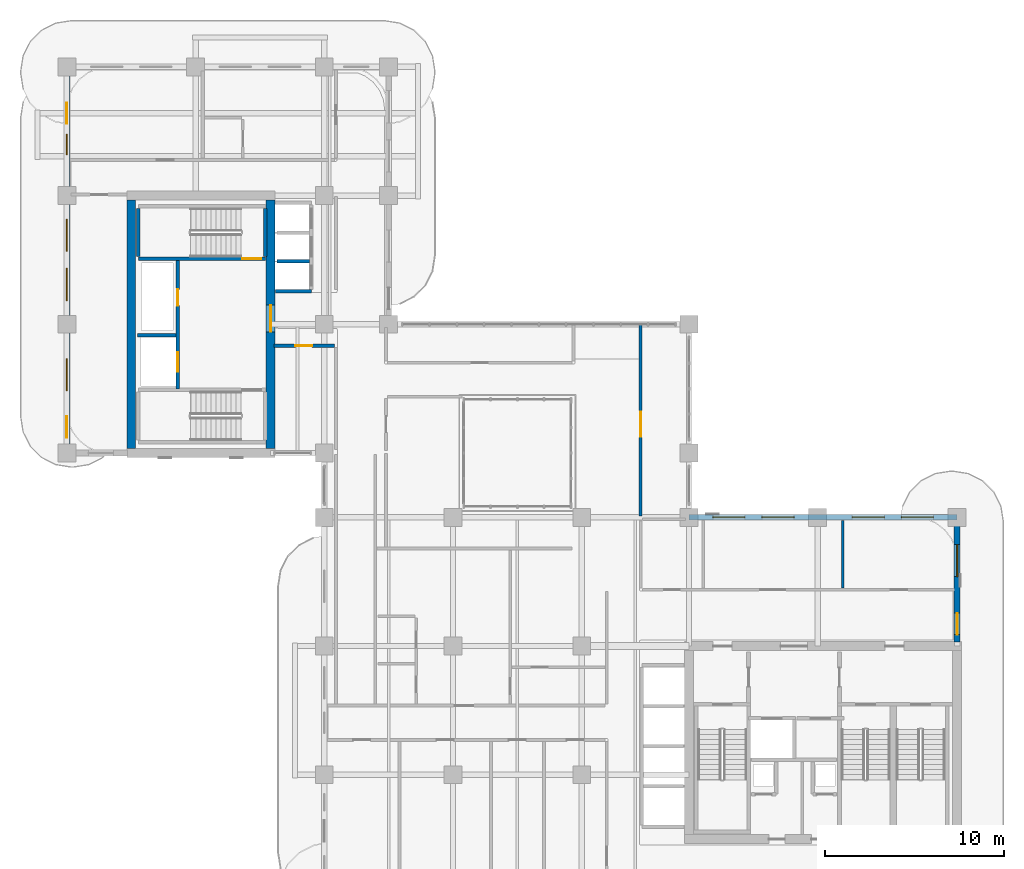
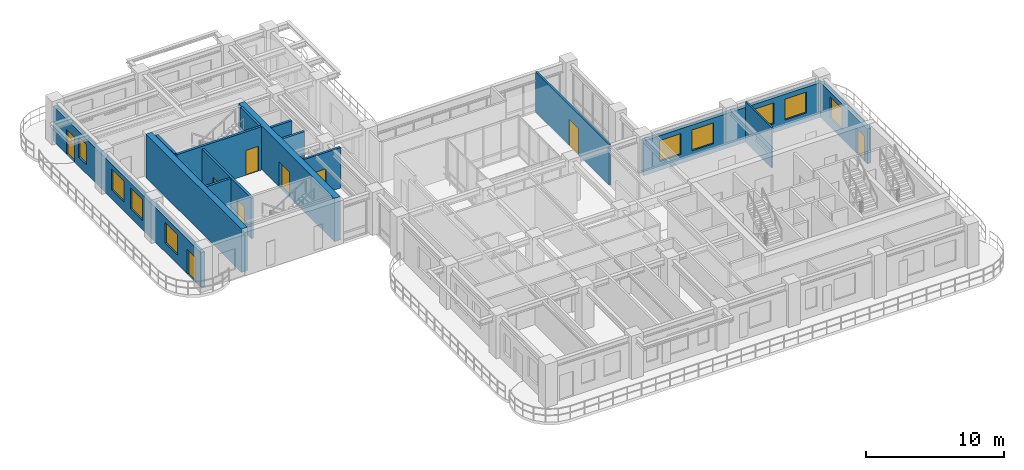
# One storey, part 14 of 20: 15 walls, 9 doors, 9 windows, 18 openings.
"""IFC4 building model written with IfcOpenShell, lengths in metres."""

from ifc_helpers import new_model, si_unit, derived_unit, direction, frame, frame_2d, origin, place, context, subcontext, project, spatial, rectangle, extrude, source, transform, mapped, material, layer, layer_set, type_object, type_shapes, element, fill, save


model = new_model("IFC4")

# Units and contexts
model_context = context("Model", 3, precision=1e-05, world=origin(), true_north=direction((0.0, 1.0)))
body_context = subcontext(model_context, "Body", "Model", "MODEL_VIEW")
ifc_project = project(units=[si_unit("LENGTHUNIT", "METRE"), si_unit("AREAUNIT", "SQUARE_METRE"), si_unit("VOLUMEUNIT", "CUBIC_METRE"), si_unit("PLANEANGLEUNIT", "RADIAN"), si_unit("MASSUNIT", "GRAM", prefix="KILO"), si_unit("THERMODYNAMICTEMPERATUREUNIT", "KELVIN"), si_unit("POWERUNIT", "WATT"), derived_unit("THERMALTRANSMITTANCEUNIT", [(si_unit("POWERUNIT", "WATT"), 1), (si_unit("AREAUNIT", "SQUARE_METRE"), -1), (si_unit("THERMODYNAMICTEMPERATUREUNIT", "KELVIN"), -1)])], contexts=[model_context])

# Site, building, storey
site_placement = place(None, origin())
site = spatial("IfcSite", under=ifc_project, at=site_placement, CompositionType="ELEMENT")
building_placement = place(site_placement, origin())
building = spatial("IfcBuilding", under=site, at=building_placement, Name="Zahravan Archway Hotel and Residences", CompositionType="ELEMENT")
storey_placement = place(building_placement, frame((0.0, 0.0, 161.85009765625)))
storey = spatial("IfcBuildingStorey", under=building, at=storey_placement, Name="L40", CompositionType="ELEMENT", Elevation=161.85009765625)

# Wall
ifc_material_1 = material(Name="Concrete C60/75", Category="concrete")
ifc_layer_1 = layer(ifc_material_1, 0.5, Name="Concrete C60/75", Category="concrete")
ifc_layer_set_1 = layer_set([ifc_layer_1], Name="Concrete C60/75")
wall_type_1 = type_object("IfcWallType", Name="CW-CORE-500", PredefinedType="SHEAR", material=ifc_layer_set_1)
wall_1_placement = place(storey_placement, frame((3.60009765625, 25.449951171875, 0.0), z_axis=(0.0, 0.0, 1.0), x_axis=(0.0, 1.0, 0.0)))
element("IfcWall", 1, at=wall_1_placement, inside=storey, type_object=wall_type_1, Name="L40 Core B Shear W Wall 500 mm", PredefinedType="SHEAR", context=body_context, shape_type="SweptSolid", body=[
    extrude(rectangle(XDim=13.900146484375, YDim=0.5, at=frame_2d((6.9501953125, 0.0))), origin(), (0.0, 0.0, 1.0), 3.849853515625),
])

# Wall, opening, door
wall_2_placement = place(storey_placement, frame((11.39990234375, 25.449951171875, 0.0), z_axis=(0.0, 0.0, 1.0), x_axis=(0.0, 1.0, 0.0)))
wall_2 = element("IfcWall", 2, at=wall_2_placement, inside=storey, type_object=wall_type_1, Name="L40 Core B Shear E Wall 500 mm", PredefinedType="SHEAR", context=body_context, shape_type="SweptSolid", body=[
    extrude(rectangle(XDim=13.900146484375, YDim=0.5, at=frame_2d((6.9501953125, 0.0))), origin(), (0.0, 0.0, 1.0), 3.849853515625),
])
opening_1_placement = place(wall_2_placement, frame((6.52001953125, 0.0, 0.0)))
opening_1 = element("IfcOpeningElement", 3, at=opening_1_placement, cuts=wall_2, Name="Opening FD-L1", PredefinedType="OPENING", context=body_context, shape_type="SweptSolid", body=[
    extrude(rectangle(XDim=1.5, YDim=2.199951171875, at=frame_2d((0.75, 1.10009765625))), frame((0.0, 0.260009765625, 0.0), z_axis=(0.0, -1.0, 0.0), x_axis=(1.0, 0.0, 0.0)), (0.0, 0.0, 1.0), 0.52001953125),
])
ifc_material_2 = material(Name="Fire-Rated Painted Steel", Category="steel")
door_type_1 = type_object("IfcDoorType", Name="FD-LOBBY-1500", OperationType="DOUBLE_DOOR_SINGLE_SWING", PredefinedType="DOOR", material=ifc_material_2)
shared_shape_1 = source(origin(), body_context, "Body", "SweptSolid", [
    extrude(rectangle(XDim=1.5, YDim=2.199951171875, at=frame_2d((0.75, 1.10009765625))), frame((0.0, 0.02490234375, 0.0), z_axis=(0.0, -1.0, 0.0), x_axis=(1.0, 0.0, 0.0)), (0.0, 0.0, 1.0), 0.050048828125),
])
type_shapes(door_type_1, [shared_shape_1])
door_1_placement = place(opening_1_placement, origin())
door_1 = element("IfcDoor", 4, at=door_1_placement, inside=storey, type_object=door_type_1, Name="L40 Core B FSAE Lobby Door", OperationType="DOUBLE_DOOR_SINGLE_SWING", OverallHeight=2.199951171875, OverallWidth=1.5, PredefinedType="DOOR", context=body_context, shape_type="MappedRepresentation", body=[
    mapped(shared_shape_1, transform((0.0, 0.0, 0.0), scale=1.0)),
])
fill(opening_1, door_1)

# Wall, openings, door, window
ifc_material_3 = material(Name="Agra Buff Sandstone & Insulated Backup", Category="masonry")
ifc_layer_2 = layer(ifc_material_3, 0.320068359375, Name="Agra Buff Sandstone & Insulated Backup", Category="masonry")
ifc_layer_set_2 = layer_set([ifc_layer_2], Name="Agra Buff Sandstone & Insulated Backup")
wall_type_2 = type_object("IfcWallType", Name="EW-SAND-320", PredefinedType="SOLIDWALL", material=ifc_layer_set_2)
wall_3_placement = place(storey_placement, frame((49.800048828125, 14.6201171875, 0.0), z_axis=(0.0, 0.0, 1.0), x_axis=(0.0, 1.0, 0.0)))
wall_3 = element("IfcWall", 5, at=wall_3_placement, inside=storey, type_object=wall_type_2, Name="L40 Exterior Sandstone Wall WA-EN", PredefinedType="SOLIDWALL", context=body_context, shape_type="SweptSolid", body=[
    extrude(rectangle(XDim=6.929931640625, YDim=0.320068359375, at=frame_2d((3.46484375, 0.0))), origin(), (0.0, 0.0, 1.0), 3.0849609375),
])
opening_2_placement = place(wall_3_placement, frame((0.419921875, 0.0, 0.0)))
opening_2 = element("IfcOpeningElement", 6, at=opening_2_placement, cuts=wall_3, Name="Opening ED-BL1", PredefinedType="OPENING", context=body_context, shape_type="SweptSolid", body=[
    extrude(rectangle(XDim=1.199951171875, YDim=2.199951171875, at=frame_2d((0.60009765625, 1.10009765625))), frame((0.0, 0.169921875, 0.0), z_axis=(0.0, -1.0, 0.0), x_axis=(1.0, 0.0, 0.0)), (0.0, 0.0, 1.0), 0.340087890625),
])
opening_3_placement = place(wall_3_placement, frame((3.658935546875, 0.0, 0.800048828125)))
opening_3 = element("IfcOpeningElement", 7, at=opening_3_placement, cuts=wall_3, Name="Opening W-02", PredefinedType="OPENING", context=body_context, shape_type="SweptSolid", body=[
    extrude(rectangle(XDim=1.800048828125, YDim=1.85009765625, at=frame_2d((0.89990234375, 0.925048828125))), frame((0.0, 0.169921875, 0.0), z_axis=(0.0, -1.0, 0.0), x_axis=(1.0, 0.0, 0.0)), (0.0, 0.0, 1.0), 0.340087890625),
])
ifc_material_4 = material(Name="Bronze-Anodized Glazed Aluminium", Category="aluminium")
door_type_2 = type_object("IfcDoorType", Name="ED-BALC-1200", OperationType="SLIDING_TO_LEFT", PredefinedType="DOOR", material=ifc_material_4)
shared_shape_2 = source(origin(), body_context, "Body", "SweptSolid", [
    extrude(rectangle(XDim=1.199951171875, YDim=2.199951171875, at=frame_2d((0.60009765625, 1.10009765625))), frame((0.0, 0.02490234375, 0.0), z_axis=(0.0, -1.0, 0.0), x_axis=(1.0, 0.0, 0.0)), (0.0, 0.0, 1.0), 0.050048828125),
])
type_shapes(door_type_2, [shared_shape_2])
door_2_placement = place(opening_2_placement, origin())
door_2 = element("IfcDoor", 8, at=door_2_placement, inside=storey, type_object=door_type_2, Name="L40 Outdoor Access Sliding Door (SLB-BAL-L40-EA)", OperationType="SLIDING_TO_LEFT", OverallHeight=2.199951171875, OverallWidth=1.199951171875, PredefinedType="DOOR", context=body_context, shape_type="MappedRepresentation", body=[
    mapped(shared_shape_2, transform((0.0, 0.0, 0.0), scale=1.0)),
])
fill(opening_2, door_2)
ifc_material_5 = material(Name="Bronze-Anodized Thermal-Break Aluminium & Low-E Glass", Category="aluminium")
window_type_1 = type_object("IfcWindowType", Name="WIN-TWR-1800", PartitioningType="DOUBLE_PANEL_VERTICAL", PredefinedType="WINDOW", material=ifc_material_5)
shared_shape_3 = source(origin(), body_context, "Body", "SweptSolid", [
    extrude(rectangle(XDim=1.800048828125, YDim=1.85009765625, at=frame_2d((0.89990234375, 0.925048828125))), frame((0.0, 0.030029296875, 0.0), z_axis=(0.0, -1.0, 0.0), x_axis=(1.0, 0.0, 0.0)), (0.0, 0.0, 1.0), 0.06005859375),
])
type_shapes(window_type_1, [shared_shape_3])
window_1_placement = place(opening_3_placement, origin())
window_1 = element("IfcWindow", 9, at=window_1_placement, inside=storey, type_object=window_type_1, Name="L40 Loggia Window 11", OverallHeight=1.85009765625, OverallWidth=1.800048828125, PartitioningType="DOUBLE_PANEL_VERTICAL", PredefinedType="WINDOW", context=body_context, shape_type="MappedRepresentation", body=[
    mapped(shared_shape_3, transform((0.0, 0.0, 0.0), scale=1.0)),
])
fill(opening_3, window_1)

# Wall, openings, windows
wall_4_placement = place(storey_placement, frame((34.800048828125, 21.60009765625, 0.0), z_axis=(0.0, 0.0, 1.0), x_axis=(1.0, 0.0, 0.0)))
wall_4 = element("IfcWall", 10, at=wall_4_placement, inside=storey, type_object=wall_type_2, Name="L40 Exterior Sandstone Wall WA-NE", PredefinedType="SOLIDWALL", context=body_context, shape_type="SweptSolid", body=[
    extrude(rectangle(XDim=15.0, YDim=0.320068359375, at=frame_2d((7.5, 0.0))), origin(), (0.0, 0.0, 1.0), 3.0849609375),
])
opening_4_placement = place(wall_4_placement, frame((1.3310546875, 0.0, 0.800048828125)))
opening_4 = element("IfcOpeningElement", 11, at=opening_4_placement, cuts=wall_4, Name="Opening W-02", PredefinedType="OPENING", context=body_context, shape_type="SweptSolid", body=[
    extrude(rectangle(XDim=1.800048828125, YDim=1.85009765625, at=frame_2d((0.89990234375, 0.925048828125))), frame((0.0, 0.169921875, 0.0), z_axis=(0.0, -1.0, 0.0), x_axis=(1.0, 0.0, 0.0)), (0.0, 0.0, 1.0), 0.340087890625),
])
opening_5_placement = place(wall_4_placement, frame((4.076904296875, 0.0, 0.800048828125)))
opening_5 = element("IfcOpeningElement", 12, at=opening_5_placement, cuts=wall_4, Name="Opening W-02", PredefinedType="OPENING", context=body_context, shape_type="SweptSolid", body=[
    extrude(rectangle(XDim=1.800048828125, YDim=1.85009765625, at=frame_2d((0.89990234375, 0.925048828125))), frame((0.0, 0.169921875, 0.0), z_axis=(0.0, -1.0, 0.0), x_axis=(1.0, 0.0, 0.0)), (0.0, 0.0, 1.0), 0.340087890625),
])
opening_6_placement = place(wall_4_placement, frame((9.131103515625, 0.0, 0.800048828125)))
opening_6 = element("IfcOpeningElement", 13, at=opening_6_placement, cuts=wall_4, Name="Opening W-02", PredefinedType="OPENING", context=body_context, shape_type="SweptSolid", body=[
    extrude(rectangle(XDim=1.800048828125, YDim=1.85009765625, at=frame_2d((0.89990234375, 0.925048828125))), frame((0.0, 0.169921875, 0.0), z_axis=(0.0, -1.0, 0.0), x_axis=(1.0, 0.0, 0.0)), (0.0, 0.0, 1.0), 0.340087890625),
])
opening_7_placement = place(wall_4_placement, frame((11.876953125, 0.0, 0.800048828125)))
opening_7 = element("IfcOpeningElement", 14, at=opening_7_placement, cuts=wall_4, Name="Opening W-02", PredefinedType="OPENING", context=body_context, shape_type="SweptSolid", body=[
    extrude(rectangle(XDim=1.800048828125, YDim=1.85009765625, at=frame_2d((0.89990234375, 0.925048828125))), frame((0.0, 0.169921875, 0.0), z_axis=(0.0, -1.0, 0.0), x_axis=(1.0, 0.0, 0.0)), (0.0, 0.0, 1.0), 0.340087890625),
])
window_2_placement = place(opening_4_placement, origin())
window_2 = element("IfcWindow", 15, at=window_2_placement, inside=storey, type_object=window_type_1, Name="L40 Loggia Window 12", OverallHeight=1.85009765625, OverallWidth=1.800048828125, PartitioningType="DOUBLE_PANEL_VERTICAL", PredefinedType="WINDOW", context=body_context, shape_type="MappedRepresentation", body=[
    mapped(shared_shape_3, transform((0.0, 0.0, 0.0), scale=1.0)),
])
fill(opening_4, window_2)
window_3_placement = place(opening_5_placement, origin())
window_3 = element("IfcWindow", 16, at=window_3_placement, inside=storey, type_object=window_type_1, Name="L40 Loggia Window 13", OverallHeight=1.85009765625, OverallWidth=1.800048828125, PartitioningType="DOUBLE_PANEL_VERTICAL", PredefinedType="WINDOW", context=body_context, shape_type="MappedRepresentation", body=[
    mapped(shared_shape_3, transform((0.0, 0.0, 0.0), scale=1.0)),
])
fill(opening_5, window_3)
window_4_placement = place(opening_6_placement, origin())
window_4 = element("IfcWindow", 17, at=window_4_placement, inside=storey, type_object=window_type_1, Name="L40 Loggia Window 14", OverallHeight=1.85009765625, OverallWidth=1.800048828125, PartitioningType="DOUBLE_PANEL_VERTICAL", PredefinedType="WINDOW", context=body_context, shape_type="MappedRepresentation", body=[
    mapped(shared_shape_3, transform((0.0, 0.0, 0.0), scale=1.0)),
])
fill(opening_6, window_4)
window_5_placement = place(opening_7_placement, origin())
window_5 = element("IfcWindow", 18, at=window_5_placement, inside=storey, type_object=window_type_1, Name="L40 Loggia Window 15", OverallHeight=1.85009765625, OverallWidth=1.800048828125, PartitioningType="DOUBLE_PANEL_VERTICAL", PredefinedType="WINDOW", context=body_context, shape_type="MappedRepresentation", body=[
    mapped(shared_shape_3, transform((0.0, 0.0, 0.0), scale=1.0)),
])
fill(opening_7, window_5)

# Wall, openings, doors, windows
wall_5_placement = place(storey_placement, frame((0.0, 25.25, 0.0), z_axis=(0.0, 0.0, 1.0), x_axis=(0.0, 1.0, 0.0)))
wall_5 = element("IfcWall", 19, at=wall_5_placement, inside=storey, type_object=wall_type_2, Name="L40 Exterior Sandstone Wall WB-W", PredefinedType="SOLIDWALL", context=body_context, shape_type="SweptSolid", body=[
    extrude(rectangle(XDim=21.5, YDim=0.320068359375, at=frame_2d((10.75, 0.0))), origin(), (0.0, 0.0, 1.0), 3.0849609375),
])
opening_8_placement = place(wall_5_placement, frame((18.35693359375, 0.0, 0.0)))
opening_8 = element("IfcOpeningElement", 20, at=opening_8_placement, cuts=wall_5, Name="Opening ED-BL1", PredefinedType="OPENING", context=body_context, shape_type="SweptSolid", body=[
    extrude(rectangle(XDim=1.199951171875, YDim=2.199951171875, at=frame_2d((0.60009765625, 1.10009765625))), frame((0.0, 0.169921875, 0.0), z_axis=(0.0, -1.0, 0.0), x_axis=(1.0, 0.0, 0.0)), (0.0, 0.0, 1.0), 0.340087890625),
])
opening_9_placement = place(wall_5_placement, frame((0.800048828125, 0.0, 0.0)))
opening_9 = element("IfcOpeningElement", 21, at=opening_9_placement, cuts=wall_5, Name="Opening ED-BL1", PredefinedType="OPENING", context=body_context, shape_type="SweptSolid", body=[
    extrude(rectangle(XDim=1.199951171875, YDim=2.199951171875, at=frame_2d((0.60009765625, 1.10009765625))), frame((0.0, 0.169921875, 0.0), z_axis=(0.0, -1.0, 0.0), x_axis=(1.0, 0.0, 0.0)), (0.0, 0.0, 1.0), 0.340087890625),
])
opening_10_placement = place(wall_5_placement, frame((3.425048828125, 0.0, 0.800048828125)))
opening_10 = element("IfcOpeningElement", 22, at=opening_10_placement, cuts=wall_5, Name="Opening W-02", PredefinedType="OPENING", context=body_context, shape_type="SweptSolid", body=[
    extrude(rectangle(XDim=1.800048828125, YDim=1.85009765625, at=frame_2d((0.89990234375, 0.925048828125))), frame((0.0, 0.169921875, 0.0), z_axis=(0.0, -1.0, 0.0), x_axis=(1.0, 0.0, 0.0)), (0.0, 0.0, 1.0), 0.340087890625),
])
opening_11_placement = place(wall_5_placement, frame((8.47509765625, 0.0, 0.800048828125)))
opening_11 = element("IfcOpeningElement", 23, at=opening_11_placement, cuts=wall_5, Name="Opening W-02", PredefinedType="OPENING", context=body_context, shape_type="SweptSolid", body=[
    extrude(rectangle(XDim=1.800048828125, YDim=1.85009765625, at=frame_2d((0.89990234375, 0.925048828125))), frame((0.0, 0.169921875, 0.0), z_axis=(0.0, -1.0, 0.0), x_axis=(1.0, 0.0, 0.0)), (0.0, 0.0, 1.0), 0.340087890625),
])
opening_12_placement = place(wall_5_placement, frame((11.22509765625, 0.0, 0.800048828125)))
opening_12 = element("IfcOpeningElement", 24, at=opening_12_placement, cuts=wall_5, Name="Opening W-02", PredefinedType="OPENING", context=body_context, shape_type="SweptSolid", body=[
    extrude(rectangle(XDim=1.800048828125, YDim=1.85009765625, at=frame_2d((0.89990234375, 0.925048828125))), frame((0.0, 0.169921875, 0.0), z_axis=(0.0, -1.0, 0.0), x_axis=(1.0, 0.0, 0.0)), (0.0, 0.0, 1.0), 0.340087890625),
])
opening_13_placement = place(wall_5_placement, frame((16.632080078125, 0.0, 0.800048828125)))
opening_13 = element("IfcOpeningElement", 25, at=opening_13_placement, cuts=wall_5, Name="Opening W-05", PredefinedType="OPENING", context=body_context, shape_type="SweptSolid", body=[
    extrude(rectangle(XDim=1.14990234375, YDim=1.800048828125, at=frame_2d((0.574951171875, 0.89990234375))), frame((0.0, 0.169921875, 0.0), z_axis=(0.0, -1.0, 0.0), x_axis=(1.0, 0.0, 0.0)), (0.0, 0.0, 1.0), 0.340087890625),
])
door_3_placement = place(opening_8_placement, origin())
door_3 = element("IfcDoor", 26, at=door_3_placement, inside=storey, type_object=door_type_2, Name="L40 Outdoor Access Sliding Door (SLB-BAL-L40-NB)", OperationType="SLIDING_TO_LEFT", OverallHeight=2.199951171875, OverallWidth=1.199951171875, PredefinedType="DOOR", context=body_context, shape_type="MappedRepresentation", body=[
    mapped(shared_shape_2, transform((0.0, 0.0, 0.0), scale=1.0)),
])
fill(opening_8, door_3)
door_4_placement = place(opening_9_placement, origin())
door_4 = element("IfcDoor", 27, at=door_4_placement, inside=storey, type_object=door_type_2, Name="L40 Outdoor Access Sliding Door (SLB-BAL-L40-WB)", OperationType="SLIDING_TO_LEFT", OverallHeight=2.199951171875, OverallWidth=1.199951171875, PredefinedType="DOOR", context=body_context, shape_type="MappedRepresentation", body=[
    mapped(shared_shape_2, transform((0.0, 0.0, 0.0), scale=1.0)),
])
fill(opening_9, door_4)
window_6_placement = place(opening_10_placement, origin())
window_6 = element("IfcWindow", 28, at=window_6_placement, inside=storey, type_object=window_type_1, Name="L40 Loggia Window 22", OverallHeight=1.85009765625, OverallWidth=1.800048828125, PartitioningType="DOUBLE_PANEL_VERTICAL", PredefinedType="WINDOW", context=body_context, shape_type="MappedRepresentation", body=[
    mapped(shared_shape_3, transform((0.0, 0.0, 0.0), scale=1.0)),
])
fill(opening_10, window_6)
window_7_placement = place(opening_11_placement, origin())
window_7 = element("IfcWindow", 29, at=window_7_placement, inside=storey, type_object=window_type_1, Name="L40 Loggia Window 23", OverallHeight=1.85009765625, OverallWidth=1.800048828125, PartitioningType="DOUBLE_PANEL_VERTICAL", PredefinedType="WINDOW", context=body_context, shape_type="MappedRepresentation", body=[
    mapped(shared_shape_3, transform((0.0, 0.0, 0.0), scale=1.0)),
])
fill(opening_11, window_7)
window_8_placement = place(opening_12_placement, origin())
window_8 = element("IfcWindow", 30, at=window_8_placement, inside=storey, type_object=window_type_1, Name="L40 Loggia Window 24", OverallHeight=1.85009765625, OverallWidth=1.800048828125, PartitioningType="DOUBLE_PANEL_VERTICAL", PredefinedType="WINDOW", context=body_context, shape_type="MappedRepresentation", body=[
    mapped(shared_shape_3, transform((0.0, 0.0, 0.0), scale=1.0)),
])
fill(opening_12, window_8)
window_type_2 = type_object("IfcWindowType", Name="WIN-TWR-1150", PartitioningType="SINGLE_PANEL", PredefinedType="WINDOW", material=ifc_material_5)
shared_shape_4 = source(origin(), body_context, "Body", "SweptSolid", [
    extrude(rectangle(XDim=1.14990234375, YDim=1.800048828125, at=frame_2d((0.574951171875, 0.89990234375))), frame((0.0, 0.030029296875, 0.0), z_axis=(0.0, -1.0, 0.0), x_axis=(1.0, 0.0, 0.0)), (0.0, 0.0, 1.0), 0.06005859375),
])
type_shapes(window_type_2, [shared_shape_4])
window_9_placement = place(opening_13_placement, origin())
window_9 = element("IfcWindow", 31, at=window_9_placement, inside=storey, type_object=window_type_2, Name="L40 Loggia Window 25", OverallHeight=1.800048828125, OverallWidth=1.14990234375, PartitioningType="SINGLE_PANEL", PredefinedType="WINDOW", context=body_context, shape_type="MappedRepresentation", body=[
    mapped(shared_shape_4, transform((0.0, 0.0, 0.0), scale=1.0)),
])
fill(opening_13, window_9)

# Wall, openings, doors
ifc_material_6 = material(Name="Fire-Rated Gypsum & Concrete Block", Category="concrete")
ifc_layer_3 = layer(ifc_material_6, 0.199951171875, Name="Fire-Rated Gypsum & Concrete Block", Category="concrete")
ifc_layer_set_3 = layer_set([ifc_layer_3], Name="Fire-Rated Gypsum & Concrete Block")
wall_type_3 = type_object("IfcWallType", Name="PW-SHAFT-200", PredefinedType="PARTITIONING", material=ifc_layer_set_3)
wall_6_placement = place(storey_placement, frame((6.199951171875, 28.7900390625, 0.0), z_axis=(0.0, 0.0, 1.0), x_axis=(0.0, 1.0, 0.0)))
wall_6 = element("IfcWall", 32, at=wall_6_placement, inside=storey, type_object=wall_type_3, Name="L40 Partition CB-FL3E", PredefinedType="PARTITIONING", context=body_context, shape_type="SweptSolid", body=[
    extrude(rectangle(XDim=7.219970703125, YDim=0.199951171875, at=frame_2d((3.60986328125, 0.0))), origin(), (0.0, 0.0, 1.0), 3.599853515625),
])
opening_14_placement = place(wall_6_placement, frame((4.659912109375, 0.0, 0.0)))
opening_14 = element("IfcOpeningElement", 33, at=opening_14_placement, cuts=wall_6, Name="Opening FD-R1", PredefinedType="OPENING", context=body_context, shape_type="SweptSolid", body=[
    extrude(rectangle(XDim=0.89990234375, YDim=2.10009765625, at=frame_2d((0.449951171875, 1.050048828125))), frame((0.0, 0.10986328125, 0.0), z_axis=(0.0, -1.0, 0.0), x_axis=(1.0, 0.0, 0.0)), (0.0, 0.0, 1.0), 0.219970703125),
])
opening_15_placement = place(wall_6_placement, frame((0.9599609375, 0.0, 0.0)))
opening_15 = element("IfcOpeningElement", 34, at=opening_15_placement, cuts=wall_6, Name="Opening LD", PredefinedType="OPENING", context=body_context, shape_type="SweptSolid", body=[
    extrude(rectangle(XDim=1.10009765625, YDim=2.199951171875, at=frame_2d((0.550048828125, 1.10009765625))), frame((0.0, 0.10986328125, 0.0), z_axis=(0.0, -1.0, 0.0), x_axis=(1.0, 0.0, 0.0)), (0.0, 0.0, 1.0), 0.219970703125),
])
door_type_3 = type_object("IfcDoorType", Name="FD-RISER-900", OperationType="NOTDEFINED", PredefinedType="DOOR", material=ifc_material_2)
shared_shape_5 = source(origin(), body_context, "Body", "SweptSolid", [
    extrude(rectangle(XDim=0.89990234375, YDim=2.10009765625, at=frame_2d((0.449951171875, 1.050048828125))), frame((0.0, 0.02490234375, 0.0), z_axis=(0.0, -1.0, 0.0), x_axis=(1.0, 0.0, 0.0)), (0.0, 0.0, 1.0), 0.050048828125),
])
type_shapes(door_type_3, [shared_shape_5])
door_5_placement = place(opening_14_placement, origin())
door_5 = element("IfcDoor", 35, at=door_5_placement, inside=storey, type_object=door_type_3, Name="L40 Core B Riser Door", OperationType="SINGLE_SWING_LEFT", OverallHeight=2.10009765625, OverallWidth=0.89990234375, PredefinedType="DOOR", context=body_context, shape_type="MappedRepresentation", body=[
    mapped(shared_shape_5, transform((0.0, 0.0, 0.0), scale=1.0)),
])
fill(opening_14, door_5)
ifc_material_7 = material(Name="Brushed Stainless Steel", Category="steel")
door_type_4 = type_object("IfcDoorType", Name="DR-LIFT-LD", OperationType="SLIDING_TO_LEFT", PredefinedType="DOOR", material=ifc_material_7)
shared_shape_6 = source(origin(), body_context, "Body", "SweptSolid", [
    extrude(rectangle(XDim=1.10009765625, YDim=2.199951171875, at=frame_2d((0.550048828125, 1.10009765625))), frame((0.0, 0.02490234375, 0.0), z_axis=(0.0, -1.0, 0.0), x_axis=(1.0, 0.0, 0.0)), (0.0, 0.0, 1.0), 0.050048828125),
])
type_shapes(door_type_4, [shared_shape_6])
door_6_placement = place(opening_15_placement, origin())
door_6 = element("IfcDoor", 36, at=door_6_placement, inside=storey, type_object=door_type_4, Name="L40 Lift FL-3 Sliding Landing Door", OperationType="SLIDING_TO_LEFT", OverallHeight=2.199951171875, OverallWidth=1.10009765625, PredefinedType="DOOR", context=body_context, shape_type="MappedRepresentation", body=[
    mapped(shared_shape_6, transform((0.0, 0.0, 0.0), scale=1.0)),
])
fill(opening_15, door_6)

# Walls
wall_7_placement = place(storey_placement, frame((3.9599609375, 31.780029296875, 0.0), z_axis=(0.0, 0.0, 1.0), x_axis=(1.0, 0.0, 0.0)))
element("IfcWall", 37, at=wall_7_placement, inside=storey, type_object=wall_type_3, Name="L40 Partition CB-FL3N", PredefinedType="PARTITIONING", context=body_context, shape_type="SweptSolid", body=[
    extrude(rectangle(XDim=2.130126953125, YDim=0.199951171875, at=frame_2d((1.06494140625, 0.0))), origin(), (0.0, 0.0, 1.0), 3.599853515625),
])
wall_8_placement = place(storey_placement, frame((11.659912109375, 34.25, 0.0), z_axis=(0.0, 0.0, 1.0), x_axis=(1.0, 0.0, 0.0)))
element("IfcWall", 38, at=wall_8_placement, inside=storey, type_object=wall_type_3, Name="L40 Partition B2-S", PredefinedType="PARTITIONING", context=body_context, shape_type="SweptSolid", body=[
    extrude(rectangle(XDim=2.010009765625, YDim=0.199951171875, at=frame_2d((1.0048828125, 0.0))), origin(), (0.0, 0.0, 1.0), 3.599853515625),
])
wall_9_placement = place(storey_placement, frame((11.760009765625, 35.919921875, 0.0), z_axis=(0.0, 0.0, 1.0), x_axis=(1.0, 0.0, 0.0)))
element("IfcWall", 39, at=wall_9_placement, inside=storey, type_object=wall_type_3, Name="L40 Partition B2-D", PredefinedType="PARTITIONING", context=body_context, shape_type="SweptSolid", body=[
    extrude(rectangle(XDim=1.81005859375, YDim=0.199951171875, at=frame_2d((0.905029296875, 0.0))), origin(), (0.0, 0.0, 1.0), 3.599853515625),
])

# Wall, opening, door
ifc_material_8 = material(Name="Acoustic Stud Partition")
ifc_layer_4 = layer(ifc_material_8, 0.169921875, Name="Acoustic Stud Partition")
ifc_layer_set_4 = layer_set([ifc_layer_4], Name="Acoustic Stud Partition")
wall_type_4 = type_object("IfcWallType", Name="PW-UNIT-170", PredefinedType="PARTITIONING", material=ifc_layer_set_4)
wall_10_placement = place(storey_placement, frame((11.590087890625, 31.199951171875, 0.0), z_axis=(0.0, 0.0, 1.0), x_axis=(1.0, 0.0, 0.0)))
wall_10 = element("IfcWall", 40, at=wall_10_placement, inside=storey, type_object=wall_type_4, Name="L40 Partition FB1-N", PredefinedType="PARTITIONING", context=body_context, shape_type="SweptSolid", body=[
    extrude(rectangle(XDim=3.369873046875, YDim=0.169921875, at=frame_2d((1.68505859375, 0.0))), origin(), (0.0, 0.0, 1.0), 3.599853515625),
])
opening_16_placement = place(wall_10_placement, frame((1.18505859375, 0.0, 0.0)))
opening_16 = element("IfcOpeningElement", 41, at=opening_16_placement, cuts=wall_10, Name="Opening D-I1", PredefinedType="OPENING", context=body_context, shape_type="SweptSolid", body=[
    extrude(rectangle(XDim=0.949951171875, YDim=2.14990234375, at=frame_2d((0.47509765625, 1.074951171875))), frame((0.0, 0.094970703125, 0.0), z_axis=(0.0, -1.0, 0.0), x_axis=(1.0, 0.0, 0.0)), (0.0, 0.0, 1.0), 0.18994140625),
])
ifc_material_9 = material(Name="Hardwood Veneer Timber", Category="wood")
door_type_5 = type_object("IfcDoorType", Name="ID-INT-950", OperationType="NOTDEFINED", PredefinedType="DOOR", material=ifc_material_9)
shared_shape_7 = source(origin(), body_context, "Body", "SweptSolid", [
    extrude(rectangle(XDim=0.949951171875, YDim=2.14990234375, at=frame_2d((0.47509765625, 1.074951171875))), frame((0.0, 0.02490234375, 0.0), z_axis=(0.0, -1.0, 0.0), x_axis=(1.0, 0.0, 0.0)), (0.0, 0.0, 1.0), 0.050048828125),
])
type_shapes(door_type_5, [shared_shape_7])
door_7_placement = place(opening_16_placement, origin())
door_7 = element("IfcDoor", 42, at=door_7_placement, inside=storey, type_object=door_type_5, Name="L40 Freed Bank 1 Reading Salon Door", OperationType="SINGLE_SWING_LEFT", OverallHeight=2.14990234375, OverallWidth=0.949951171875, PredefinedType="DOOR", context=body_context, shape_type="MappedRepresentation", body=[
    mapped(shared_shape_7, transform((0.0, 0.0, 0.0), scale=1.0)),
])
fill(opening_16, door_7)

wall_11_placement = place(storey_placement, frame((32.10009765625, 21.669921875, 0.0), z_axis=(0.0, 0.0, 1.0), x_axis=(0.0, 1.0, 0.0)))
wall_11 = element("IfcWall", 43, at=wall_11_placement, inside=storey, type_object=wall_type_4, Name="L40 Partition ATR-E", PredefinedType="PARTITIONING", context=body_context, shape_type="SweptSolid", body=[
    extrude(rectangle(XDim=10.7021484375, YDim=0.169921875, at=frame_2d((5.35107421875, 0.0))), origin(), (0.0, 0.0, 1.0), 3.599853515625),
])
opening_17_placement = place(wall_11_placement, frame((4.429931640625, 0.0, 0.0)))
opening_17 = element("IfcOpeningElement", 44, at=opening_17_placement, cuts=wall_11, Name="Opening D-P1", PredefinedType="OPENING", context=body_context, shape_type="SweptSolid", body=[
    extrude(rectangle(XDim=1.39990234375, YDim=2.35009765625, at=frame_2d((0.699951171875, 1.175048828125))), frame((0.0, 0.094970703125, 0.0), z_axis=(0.0, -1.0, 0.0), x_axis=(1.0, 0.0, 0.0)), (0.0, 0.0, 1.0), 0.18994140625),
])
door_type_6 = type_object("IfcDoorType", Name="ID-PUBLIC-1400", OperationType="DOUBLE_DOOR_SINGLE_SWING", PredefinedType="DOOR", material=ifc_material_4)
shared_shape_8 = source(origin(), body_context, "Body", "SweptSolid", [
    extrude(rectangle(XDim=1.39990234375, YDim=2.35009765625, at=frame_2d((0.699951171875, 1.175048828125))), frame((0.0, 0.02490234375, 0.0), z_axis=(0.0, -1.0, 0.0), x_axis=(1.0, 0.0, 0.0)), (0.0, 0.0, 1.0), 0.050048828125),
])
type_shapes(door_type_6, [shared_shape_8])
door_8_placement = place(opening_17_placement, origin())
door_8 = element("IfcDoor", 45, at=door_8_placement, inside=storey, type_object=door_type_6, Name="L40 Atrium Gallery Cafe Door", OperationType="DOUBLE_DOOR_SINGLE_SWING", OverallHeight=2.35009765625, OverallWidth=1.39990234375, PredefinedType="DOOR", context=body_context, shape_type="MappedRepresentation", body=[
    mapped(shared_shape_8, transform((0.0, 0.0, 0.0), scale=1.0)),
])
fill(opening_17, door_8)

# Walls
ifc_material_10 = material(Name="Moisture-Resistant Blockwork", Category="masonry")
ifc_layer_5 = layer(ifc_material_10, 0.139892578125, Name="Moisture-Resistant Blockwork", Category="masonry")
ifc_layer_set_5 = layer_set([ifc_layer_5], Name="Moisture-Resistant Blockwork")
wall_type_5 = type_object("IfcWallType", Name="PW-WET-140", PredefinedType="PARTITIONING", material=ifc_layer_set_5)
wall_12_placement = place(storey_placement, frame((43.39990234375, 17.639892578125, 0.0), z_axis=(0.0, 0.0, 1.0), x_axis=(0.0, 1.0, 0.0)))
element("IfcWall", 46, at=wall_12_placement, inside=storey, type_object=wall_type_5, Name="L40 Partition NE3-2", PredefinedType="PARTITIONING", context=body_context, shape_type="SweptSolid", body=[
    extrude(rectangle(XDim=3.7919921875, YDim=0.139892578125, at=frame_2d((1.89599609375, 0.0))), origin(), (0.0, 0.0, 1.0), 3.599853515625),
])
ifc_material_11 = material(Name="Concrete C50/60", Category="concrete")
ifc_layer_6 = layer(ifc_material_11, 0.199951171875, Name="Concrete C50/60", Category="concrete")
ifc_layer_set_6 = layer_set([ifc_layer_6], Name="Concrete C50/60")
wall_type_6 = type_object("IfcWallType", Name="SW-STAIR-200", PredefinedType="SHEAR", material=ifc_layer_set_6)
for number, where, z_axis, x_axis, name in (
    (47, (4.0, 36.179931640625, 0.0), (0.0, 0.0, 1.0), (0.0, 1.0, 0.0), "L40 Stairwell RC Wall CB-SB2W"),
    (48, (11.10009765625, 36.179931640625, 0.0), (0.0, 0.0, 1.0), (0.0, 1.0, 0.0), "L40 Stairwell RC Wall CB-SB2E"),
):
    element("IfcWall", number, at=place(storey_placement, frame(where, z_axis=z_axis, x_axis=x_axis)), inside=storey, type_object=wall_type_6, Name=name, PredefinedType="SHEAR", context=body_context, shape_type="SweptSolid", body=[
        extrude(rectangle(XDim=2.699951171875, YDim=0.199951171875, at=frame_2d((1.35009765625, 0.0))), origin(), (0.0, 0.0, 1.0), 3.849853515625),
    ])

# Wall, opening, door
wall_13_placement = place(storey_placement, frame((4.0, 36.06005859375, 0.0), z_axis=(0.0, 0.0, 1.0), x_axis=(1.0, 0.0, 0.0)))
wall_13 = element("IfcWall", 49, at=wall_13_placement, inside=storey, type_object=wall_type_6, Name="L40 Stairwell RC Wall CB-SB2S", PredefinedType="SHEAR", context=body_context, shape_type="SweptSolid", body=[
    extrude(rectangle(XDim=7.10009765625, YDim=0.199951171875, at=frame_2d((3.550048828125, 0.0))), origin(), (0.0, 0.0, 1.0), 3.849853515625),
])
opening_18_placement = place(wall_13_placement, frame((5.81494140625, 0.0, 0.0)))
opening_18 = element("IfcOpeningElement", 50, at=opening_18_placement, cuts=wall_13, Name="Opening FD-S1", PredefinedType="OPENING", context=body_context, shape_type="SweptSolid", body=[
    extrude(rectangle(XDim=1.050048828125, YDim=2.199951171875, at=frame_2d((0.52490234375, 1.10009765625))), frame((0.0, 0.10986328125, 0.0), z_axis=(0.0, -1.0, 0.0), x_axis=(1.0, 0.0, 0.0)), (0.0, 0.0, 1.0), 0.219970703125),
])
door_type_7 = type_object("IfcDoorType", Name="FD-STAIR-1100", OperationType="NOTDEFINED", PredefinedType="DOOR", material=ifc_material_2)
shared_shape_9 = source(origin(), body_context, "Body", "SweptSolid", [
    extrude(rectangle(XDim=1.050048828125, YDim=2.199951171875, at=frame_2d((0.52490234375, 1.10009765625))), frame((0.0, 0.02490234375, 0.0), z_axis=(0.0, -1.0, 0.0), x_axis=(1.0, 0.0, 0.0)), (0.0, 0.0, 1.0), 0.050048828125),
])
type_shapes(door_type_7, [shared_shape_9])
door_9_placement = place(opening_18_placement, origin())
door_9 = element("IfcDoor", 51, at=door_9_placement, inside=storey, type_object=door_type_7, Name="L40 Stair ST-B2 Door", OperationType="SINGLE_SWING_RIGHT", OverallHeight=2.199951171875, OverallWidth=1.050048828125, PredefinedType="DOOR", context=body_context, shape_type="MappedRepresentation", body=[
    mapped(shared_shape_9, transform((0.0, 0.0, 0.0), scale=1.0)),
])
fill(opening_18, door_9)

save(model, "model.ifc")
